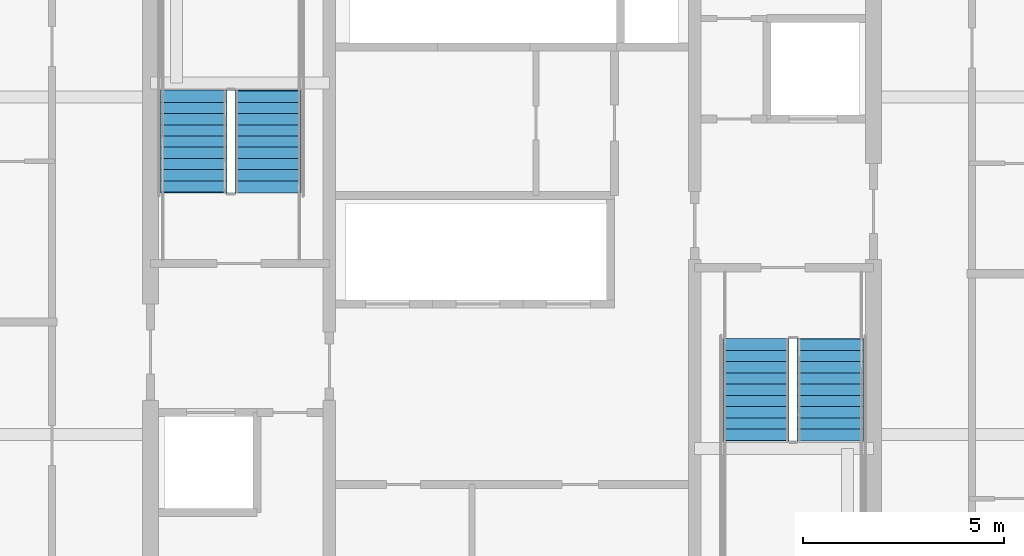
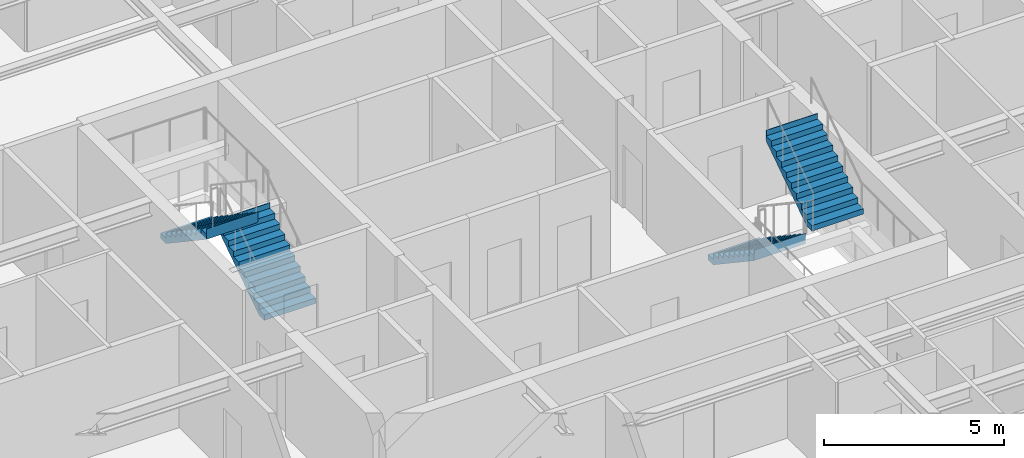
# One storey, part 29 of 34: 4 stair flights, 2 elements without a shape of their own.
"""IFC4 building model written with IfcOpenShell, lengths in metres."""

from ifc_helpers import new_model, si_unit, direction, frame, origin, place, context, subcontext, project, spatial, polygons, material, type_object, element, aggregate, save


model = new_model("IFC4")

# Units and contexts
model_context = context("Model", 3, precision=1e-05, world=origin(), true_north=direction((0.0, 1.0)))
body_context = subcontext(model_context, "Body", "Model", "MODEL_VIEW")
ifc_project = project(units=[si_unit("LENGTHUNIT", "METRE"), si_unit("AREAUNIT", "SQUARE_METRE"), si_unit("VOLUMEUNIT", "CUBIC_METRE"), si_unit("PLANEANGLEUNIT", "RADIAN"), si_unit("MASSUNIT", "GRAM", prefix="KILO")], contexts=[model_context])

# Site, building, storey
site_placement = place(None, origin())
site = spatial("IfcSite", under=ifc_project, at=site_placement, CompositionType="ELEMENT")
building_placement = place(site_placement, origin())
building = spatial("IfcBuilding", under=site, at=building_placement, Name="Serunith Strait Residences", CompositionType="ELEMENT")
storey_placement = place(building_placement, frame((0.0, 0.0, 142.64990234375)))
storey = spatial("IfcBuildingStorey", under=building, at=storey_placement, Name="L35", CompositionType="ELEMENT", Elevation=142.64990234375)

# Stair, stair flights
ifc_material = material(Name="Concrete C50/60", Category="concrete")
stair_type_1 = type_object("IfcStairType", Name="STR-CORE-1", PredefinedType="HALF_TURN_STAIR", material=ifc_material)
stair_1_placement = place(storey_placement, origin())
stair_1 = element("IfcStair", 1, at=stair_1_placement, inside=storey, type_object=stair_type_1, Name="L35 Protected Escape Stair ST-1", PredefinedType="HALF_TURN_STAIR")
stair_flight_type_1 = type_object("IfcStairFlightType", Name="FLT-CORE-1", PredefinedType="STRAIGHT", material=ifc_material)
stair_flight_1_placement = place(storey_placement, frame((26.324951171875, 27.030029296875, 0.0), z_axis=(0.0, 0.0, 1.0), x_axis=(0.0, 1.0, 0.0)))
stair_flight_1 = element("IfcStairFlight", 2, at=stair_flight_1_placement, type_object=stair_flight_type_1, Name="ST-1 flight 1", NumberOfRisers=10, NumberOfTreads=9, PredefinedType="STRAIGHT", RiserHeight=0.1875, TreadLength=0.28, context=body_context, shape_type="Tessellation", body=[
    polygons([(-0.02001953125, -0.824951171875, 0.0), (-0.02001953125, -0.824951171875, 0.1875), (0.280029296875, -0.824951171875, 0.1875), (0.280029296875, -0.824951171875, 0.375), (0.56005859375, -0.824951171875, 0.375), (0.56005859375, -0.824951171875, 0.5625), (0.840087890625, -0.824951171875, 0.5625), (0.840087890625, -0.824951171875, 0.75), (1.1201171875, -0.824951171875, 0.75), (1.1201171875, -0.824951171875, 0.9375), (1.39990234375, -0.824951171875, 0.9375), (1.39990234375, -0.824951171875, 1.125), (1.679931640625, -0.824951171875, 1.125), (1.679931640625, -0.824951171875, 1.3125), (1.9599609375, -0.824951171875, 1.3125), (1.9599609375, -0.824951171875, 1.5), (2.239990234375, -0.824951171875, 1.5), (2.239990234375, -0.824951171875, 1.6875), (2.52001953125, -0.824951171875, 1.6875), (2.52001953125, -0.824951171875, 1.875), (2.5400390625, -0.824951171875, 1.875), (2.5400390625, -0.824951171875, 1.81494140625), (2.52001953125, -0.824951171875, 1.507080078125), (0.26953125, -0.824951171875, 0.0), (-0.02001953125, -0.41259765625, 0.0), (-0.02001953125, -0.41259765625, 0.1875), (0.280029296875, -0.41259765625, 0.1875), (0.280029296875, -0.41259765625, 0.375), (0.56005859375, -0.41259765625, 0.375), (0.56005859375, -0.41259765625, 0.5625), (0.840087890625, -0.41259765625, 0.5625), (0.840087890625, -0.41259765625, 0.75), (1.1201171875, -0.41259765625, 0.75), (1.1201171875, -0.41259765625, 0.9375), (1.39990234375, -0.41259765625, 0.9375), (1.39990234375, -0.41259765625, 1.125), (1.679931640625, -0.41259765625, 1.125), (1.679931640625, -0.41259765625, 1.3125), (1.9599609375, -0.41259765625, 1.3125), (1.9599609375, -0.41259765625, 1.5), (2.239990234375, -0.41259765625, 1.5), (2.239990234375, -0.41259765625, 1.6875), (2.52001953125, -0.41259765625, 1.6875), (2.52001953125, -0.41259765625, 1.875), (2.5400390625, -0.41259765625, 1.875), (2.5400390625, -0.41259765625, 1.81494140625), (2.52001953125, -0.41259765625, 1.507080078125), (0.26953125, -0.41259765625, 0.0), (-0.02001953125, 0.0, 0.0), (-0.02001953125, 0.0, 0.1875), (0.280029296875, 0.0, 0.1875), (0.280029296875, 0.0, 0.375), (0.56005859375, 0.0, 0.375), (0.56005859375, 0.0, 0.5625), (0.840087890625, 0.0, 0.5625), (0.840087890625, 0.0, 0.75), (1.1201171875, 0.0, 0.75), (1.1201171875, 0.0, 0.9375), (1.39990234375, 0.0, 0.9375), (1.39990234375, 0.0, 1.125), (1.679931640625, 0.0, 1.125), (1.679931640625, 0.0, 1.3125), (1.9599609375, 0.0, 1.3125), (1.9599609375, 0.0, 1.5), (2.239990234375, 0.0, 1.5), (2.239990234375, 0.0, 1.6875), (2.52001953125, 0.0, 1.6875), (2.52001953125, 0.0, 1.875), (2.5400390625, 0.0, 1.875), (2.5400390625, 0.0, 1.81494140625), (2.52001953125, 0.0, 1.507080078125), (0.26953125, 0.0, 0.0), (-0.02001953125, 0.41259765625, 0.0), (-0.02001953125, 0.41259765625, 0.1875), (0.280029296875, 0.41259765625, 0.1875), (0.280029296875, 0.41259765625, 0.375), (0.56005859375, 0.41259765625, 0.375), (0.56005859375, 0.41259765625, 0.5625), (0.840087890625, 0.41259765625, 0.5625), (0.840087890625, 0.41259765625, 0.75), (1.1201171875, 0.41259765625, 0.75), (1.1201171875, 0.41259765625, 0.9375), (1.39990234375, 0.41259765625, 0.9375), (1.39990234375, 0.41259765625, 1.125), (1.679931640625, 0.41259765625, 1.125), (1.679931640625, 0.41259765625, 1.3125), (1.9599609375, 0.41259765625, 1.3125), (1.9599609375, 0.41259765625, 1.5), (2.239990234375, 0.41259765625, 1.5), (2.239990234375, 0.41259765625, 1.6875), (2.52001953125, 0.41259765625, 1.6875), (2.52001953125, 0.41259765625, 1.875), (2.5400390625, 0.41259765625, 1.875), (2.5400390625, 0.41259765625, 1.81494140625), (2.52001953125, 0.41259765625, 1.507080078125), (0.26953125, 0.41259765625, 0.0), (-0.02001953125, 0.824951171875, 0.0), (-0.02001953125, 0.824951171875, 0.1875), (0.280029296875, 0.824951171875, 0.1875), (0.280029296875, 0.824951171875, 0.375), (0.56005859375, 0.824951171875, 0.375), (0.56005859375, 0.824951171875, 0.5625), (0.840087890625, 0.824951171875, 0.5625), (0.840087890625, 0.824951171875, 0.75), (1.1201171875, 0.824951171875, 0.75), (1.1201171875, 0.824951171875, 0.9375), (1.39990234375, 0.824951171875, 0.9375), (1.39990234375, 0.824951171875, 1.125), (1.679931640625, 0.824951171875, 1.125), (1.679931640625, 0.824951171875, 1.3125), (1.9599609375, 0.824951171875, 1.3125), (1.9599609375, 0.824951171875, 1.5), (2.239990234375, 0.824951171875, 1.5), (2.239990234375, 0.824951171875, 1.6875), (2.52001953125, 0.824951171875, 1.6875), (2.52001953125, 0.824951171875, 1.875), (2.5400390625, 0.824951171875, 1.875), (2.5400390625, 0.824951171875, 1.81494140625), (2.52001953125, 0.824951171875, 1.507080078125), (0.26953125, 0.824951171875, 0.0)], [[[1, 2, 26, 25]], [[2, 3, 27, 26]], [[3, 4, 28, 27]], [[4, 5, 29, 28]], [[5, 6, 30, 29]], [[6, 7, 31, 30]], [[7, 8, 32, 31]], [[8, 9, 33, 32]], [[9, 10, 34, 33]], [[10, 11, 35, 34]], [[11, 12, 36, 35]], [[12, 13, 37, 36]], [[13, 14, 38, 37]], [[14, 15, 39, 38]], [[15, 16, 40, 39]], [[16, 17, 41, 40]], [[17, 18, 42, 41]], [[18, 19, 43, 42]], [[19, 20, 44, 43]], [[20, 21, 45, 44]], [[21, 22, 46, 45]], [[22, 23, 47, 46]], [[23, 24, 48, 47]], [[24, 1, 25, 48]], [[25, 26, 50, 49]], [[26, 27, 51, 50]], [[27, 28, 52, 51]], [[28, 29, 53, 52]], [[29, 30, 54, 53]], [[30, 31, 55, 54]], [[31, 32, 56, 55]], [[32, 33, 57, 56]], [[33, 34, 58, 57]], [[34, 35, 59, 58]], [[35, 36, 60, 59]], [[36, 37, 61, 60]], [[37, 38, 62, 61]], [[38, 39, 63, 62]], [[39, 40, 64, 63]], [[40, 41, 65, 64]], [[41, 42, 66, 65]], [[42, 43, 67, 66]], [[43, 44, 68, 67]], [[44, 45, 69, 68]], [[45, 46, 70, 69]], [[46, 47, 71, 70]], [[47, 48, 72, 71]], [[48, 25, 49, 72]], [[49, 50, 74, 73]], [[50, 51, 75, 74]], [[51, 52, 76, 75]], [[52, 53, 77, 76]], [[53, 54, 78, 77]], [[54, 55, 79, 78]], [[55, 56, 80, 79]], [[56, 57, 81, 80]], [[57, 58, 82, 81]], [[58, 59, 83, 82]], [[59, 60, 84, 83]], [[60, 61, 85, 84]], [[61, 62, 86, 85]], [[62, 63, 87, 86]], [[63, 64, 88, 87]], [[64, 65, 89, 88]], [[65, 66, 90, 89]], [[66, 67, 91, 90]], [[67, 68, 92, 91]], [[68, 69, 93, 92]], [[69, 70, 94, 93]], [[70, 71, 95, 94]], [[71, 72, 96, 95]], [[72, 49, 73, 96]], [[73, 74, 98, 97]], [[74, 75, 99, 98]], [[75, 76, 100, 99]], [[76, 77, 101, 100]], [[77, 78, 102, 101]], [[78, 79, 103, 102]], [[79, 80, 104, 103]], [[80, 81, 105, 104]], [[81, 82, 106, 105]], [[82, 83, 107, 106]], [[83, 84, 108, 107]], [[84, 85, 109, 108]], [[85, 86, 110, 109]], [[86, 87, 111, 110]], [[87, 88, 112, 111]], [[88, 89, 113, 112]], [[89, 90, 114, 113]], [[90, 91, 115, 114]], [[91, 92, 116, 115]], [[92, 93, 117, 116]], [[93, 94, 118, 117]], [[94, 95, 119, 118]], [[95, 96, 120, 119]], [[96, 73, 97, 120]], [[24, 23, 22, 21, 20, 19, 18, 17, 16, 15, 14, 13, 12, 11, 10, 9, 8, 7, 6, 5, 4, 3, 2, 1]], [[97, 98, 99, 100, 101, 102, 103, 104, 105, 106, 107, 108, 109, 110, 111, 112, 113, 114, 115, 116, 117, 118, 119, 120]]], closed=True),
])
stair_flight_2_placement = place(storey_placement, frame((24.47509765625, 29.550048828125, 1.875), z_axis=(0.0, 0.0, 1.0), x_axis=(0.0, -1.0, 0.0)))
stair_flight_2 = element("IfcStairFlight", 3, at=stair_flight_2_placement, type_object=stair_flight_type_1, Name="ST-1 flight 2", NumberOfRisers=10, NumberOfTreads=9, PredefinedType="STRAIGHT", RiserHeight=0.1875, TreadLength=0.28, context=body_context, shape_type="Tessellation", body=[
    polygons([(-0.02001953125, -0.824951171875, 0.0), (-0.02001953125, -0.824951171875, 0.1875), (0.280029296875, -0.824951171875, 0.1875), (0.280029296875, -0.824951171875, 0.375), (0.56005859375, -0.824951171875, 0.375), (0.56005859375, -0.824951171875, 0.5625), (0.840087890625, -0.824951171875, 0.5625), (0.840087890625, -0.824951171875, 0.75), (1.1201171875, -0.824951171875, 0.75), (1.1201171875, -0.824951171875, 0.9375), (1.39990234375, -0.824951171875, 0.9375), (1.39990234375, -0.824951171875, 1.125), (1.679931640625, -0.824951171875, 1.125), (1.679931640625, -0.824951171875, 1.3125), (1.9599609375, -0.824951171875, 1.3125), (1.9599609375, -0.824951171875, 1.5), (2.239990234375, -0.824951171875, 1.5), (2.239990234375, -0.824951171875, 1.6875), (2.52001953125, -0.824951171875, 1.6875), (2.52001953125, -0.824951171875, 1.875), (2.5400390625, -0.824951171875, 1.875), (2.5400390625, -0.824951171875, 1.81494140625), (2.52001953125, -0.824951171875, 1.507080078125), (0.26953125, -0.824951171875, 0.0), (-0.02001953125, -0.41259765625, 0.0), (-0.02001953125, -0.41259765625, 0.1875), (0.280029296875, -0.41259765625, 0.1875), (0.280029296875, -0.41259765625, 0.375), (0.56005859375, -0.41259765625, 0.375), (0.56005859375, -0.41259765625, 0.5625), (0.840087890625, -0.41259765625, 0.5625), (0.840087890625, -0.41259765625, 0.75), (1.1201171875, -0.41259765625, 0.75), (1.1201171875, -0.41259765625, 0.9375), (1.39990234375, -0.41259765625, 0.9375), (1.39990234375, -0.41259765625, 1.125), (1.679931640625, -0.41259765625, 1.125), (1.679931640625, -0.41259765625, 1.3125), (1.9599609375, -0.41259765625, 1.3125), (1.9599609375, -0.41259765625, 1.5), (2.239990234375, -0.41259765625, 1.5), (2.239990234375, -0.41259765625, 1.6875), (2.52001953125, -0.41259765625, 1.6875), (2.52001953125, -0.41259765625, 1.875), (2.5400390625, -0.41259765625, 1.875), (2.5400390625, -0.41259765625, 1.81494140625), (2.52001953125, -0.41259765625, 1.507080078125), (0.26953125, -0.41259765625, 0.0), (-0.02001953125, 0.0, 0.0), (-0.02001953125, 0.0, 0.1875), (0.280029296875, 0.0, 0.1875), (0.280029296875, 0.0, 0.375), (0.56005859375, 0.0, 0.375), (0.56005859375, 0.0, 0.5625), (0.840087890625, 0.0, 0.5625), (0.840087890625, 0.0, 0.75), (1.1201171875, 0.0, 0.75), (1.1201171875, 0.0, 0.9375), (1.39990234375, 0.0, 0.9375), (1.39990234375, 0.0, 1.125), (1.679931640625, 0.0, 1.125), (1.679931640625, 0.0, 1.3125), (1.9599609375, 0.0, 1.3125), (1.9599609375, 0.0, 1.5), (2.239990234375, 0.0, 1.5), (2.239990234375, 0.0, 1.6875), (2.52001953125, 0.0, 1.6875), (2.52001953125, 0.0, 1.875), (2.5400390625, 0.0, 1.875), (2.5400390625, 0.0, 1.81494140625), (2.52001953125, 0.0, 1.507080078125), (0.26953125, 0.0, 0.0), (-0.02001953125, 0.41259765625, 0.0), (-0.02001953125, 0.41259765625, 0.1875), (0.280029296875, 0.41259765625, 0.1875), (0.280029296875, 0.41259765625, 0.375), (0.56005859375, 0.41259765625, 0.375), (0.56005859375, 0.41259765625, 0.5625), (0.840087890625, 0.41259765625, 0.5625), (0.840087890625, 0.41259765625, 0.75), (1.1201171875, 0.41259765625, 0.75), (1.1201171875, 0.41259765625, 0.9375), (1.39990234375, 0.41259765625, 0.9375), (1.39990234375, 0.41259765625, 1.125), (1.679931640625, 0.41259765625, 1.125), (1.679931640625, 0.41259765625, 1.3125), (1.9599609375, 0.41259765625, 1.3125), (1.9599609375, 0.41259765625, 1.5), (2.239990234375, 0.41259765625, 1.5), (2.239990234375, 0.41259765625, 1.6875), (2.52001953125, 0.41259765625, 1.6875), (2.52001953125, 0.41259765625, 1.875), (2.5400390625, 0.41259765625, 1.875), (2.5400390625, 0.41259765625, 1.81494140625), (2.52001953125, 0.41259765625, 1.507080078125), (0.26953125, 0.41259765625, 0.0), (-0.02001953125, 0.824951171875, 0.0), (-0.02001953125, 0.824951171875, 0.1875), (0.280029296875, 0.824951171875, 0.1875), (0.280029296875, 0.824951171875, 0.375), (0.56005859375, 0.824951171875, 0.375), (0.56005859375, 0.824951171875, 0.5625), (0.840087890625, 0.824951171875, 0.5625), (0.840087890625, 0.824951171875, 0.75), (1.1201171875, 0.824951171875, 0.75), (1.1201171875, 0.824951171875, 0.9375), (1.39990234375, 0.824951171875, 0.9375), (1.39990234375, 0.824951171875, 1.125), (1.679931640625, 0.824951171875, 1.125), (1.679931640625, 0.824951171875, 1.3125), (1.9599609375, 0.824951171875, 1.3125), (1.9599609375, 0.824951171875, 1.5), (2.239990234375, 0.824951171875, 1.5), (2.239990234375, 0.824951171875, 1.6875), (2.52001953125, 0.824951171875, 1.6875), (2.52001953125, 0.824951171875, 1.875), (2.5400390625, 0.824951171875, 1.875), (2.5400390625, 0.824951171875, 1.81494140625), (2.52001953125, 0.824951171875, 1.507080078125), (0.26953125, 0.824951171875, 0.0)], [[[1, 2, 26, 25]], [[2, 3, 27, 26]], [[3, 4, 28, 27]], [[4, 5, 29, 28]], [[5, 6, 30, 29]], [[6, 7, 31, 30]], [[7, 8, 32, 31]], [[8, 9, 33, 32]], [[9, 10, 34, 33]], [[10, 11, 35, 34]], [[11, 12, 36, 35]], [[12, 13, 37, 36]], [[13, 14, 38, 37]], [[14, 15, 39, 38]], [[15, 16, 40, 39]], [[16, 17, 41, 40]], [[17, 18, 42, 41]], [[18, 19, 43, 42]], [[19, 20, 44, 43]], [[20, 21, 45, 44]], [[21, 22, 46, 45]], [[22, 23, 47, 46]], [[23, 24, 48, 47]], [[24, 1, 25, 48]], [[25, 26, 50, 49]], [[26, 27, 51, 50]], [[27, 28, 52, 51]], [[28, 29, 53, 52]], [[29, 30, 54, 53]], [[30, 31, 55, 54]], [[31, 32, 56, 55]], [[32, 33, 57, 56]], [[33, 34, 58, 57]], [[34, 35, 59, 58]], [[35, 36, 60, 59]], [[36, 37, 61, 60]], [[37, 38, 62, 61]], [[38, 39, 63, 62]], [[39, 40, 64, 63]], [[40, 41, 65, 64]], [[41, 42, 66, 65]], [[42, 43, 67, 66]], [[43, 44, 68, 67]], [[44, 45, 69, 68]], [[45, 46, 70, 69]], [[46, 47, 71, 70]], [[47, 48, 72, 71]], [[48, 25, 49, 72]], [[49, 50, 74, 73]], [[50, 51, 75, 74]], [[51, 52, 76, 75]], [[52, 53, 77, 76]], [[53, 54, 78, 77]], [[54, 55, 79, 78]], [[55, 56, 80, 79]], [[56, 57, 81, 80]], [[57, 58, 82, 81]], [[58, 59, 83, 82]], [[59, 60, 84, 83]], [[60, 61, 85, 84]], [[61, 62, 86, 85]], [[62, 63, 87, 86]], [[63, 64, 88, 87]], [[64, 65, 89, 88]], [[65, 66, 90, 89]], [[66, 67, 91, 90]], [[67, 68, 92, 91]], [[68, 69, 93, 92]], [[69, 70, 94, 93]], [[70, 71, 95, 94]], [[71, 72, 96, 95]], [[72, 49, 73, 96]], [[73, 74, 98, 97]], [[74, 75, 99, 98]], [[75, 76, 100, 99]], [[76, 77, 101, 100]], [[77, 78, 102, 101]], [[78, 79, 103, 102]], [[79, 80, 104, 103]], [[80, 81, 105, 104]], [[81, 82, 106, 105]], [[82, 83, 107, 106]], [[83, 84, 108, 107]], [[84, 85, 109, 108]], [[85, 86, 110, 109]], [[86, 87, 111, 110]], [[87, 88, 112, 111]], [[88, 89, 113, 112]], [[89, 90, 114, 113]], [[90, 91, 115, 114]], [[91, 92, 116, 115]], [[92, 93, 117, 116]], [[93, 94, 118, 117]], [[94, 95, 119, 118]], [[95, 96, 120, 119]], [[96, 73, 97, 120]], [[24, 23, 22, 21, 20, 19, 18, 17, 16, 15, 14, 13, 12, 11, 10, 9, 8, 7, 6, 5, 4, 3, 2, 1]], [[97, 98, 99, 100, 101, 102, 103, 104, 105, 106, 107, 108, 109, 110, 111, 112, 113, 114, 115, 116, 117, 118, 119, 120]]], closed=True),
])
aggregate(stair_1, [stair_flight_1, stair_flight_2])

stair_type_2 = type_object("IfcStairType", Name="STR-CORE-2", PredefinedType="HALF_TURN_STAIR", material=ifc_material)
stair_2_placement = place(storey_placement, origin())
stair_2 = element("IfcStair", 4, at=stair_2_placement, inside=storey, type_object=stair_type_2, Name="L35 Protected Escape Stair ST-2", PredefinedType="HALF_TURN_STAIR")
stair_flight_type_2 = type_object("IfcStairFlightType", Name="FLT-CORE-2", PredefinedType="STRAIGHT", material=ifc_material)
stair_flight_3_placement = place(storey_placement, frame((38.47509765625, 23.3701171875, 0.0), z_axis=(0.0, 0.0, 1.0), x_axis=(0.0, -1.0, 0.0)))
stair_flight_3 = element("IfcStairFlight", 5, at=stair_flight_3_placement, type_object=stair_flight_type_2, Name="ST-2 flight 1", NumberOfRisers=10, NumberOfTreads=9, PredefinedType="STRAIGHT", RiserHeight=0.1875, TreadLength=0.28, context=body_context, shape_type="Tessellation", body=[
    polygons([(-0.02001953125, -0.824951171875, 0.0), (-0.02001953125, -0.824951171875, 0.1875), (0.280029296875, -0.824951171875, 0.1875), (0.280029296875, -0.824951171875, 0.375), (0.56005859375, -0.824951171875, 0.375), (0.56005859375, -0.824951171875, 0.5625), (0.840087890625, -0.824951171875, 0.5625), (0.840087890625, -0.824951171875, 0.75), (1.1201171875, -0.824951171875, 0.75), (1.1201171875, -0.824951171875, 0.9375), (1.39990234375, -0.824951171875, 0.9375), (1.39990234375, -0.824951171875, 1.125), (1.679931640625, -0.824951171875, 1.125), (1.679931640625, -0.824951171875, 1.3125), (1.9599609375, -0.824951171875, 1.3125), (1.9599609375, -0.824951171875, 1.5), (2.239990234375, -0.824951171875, 1.5), (2.239990234375, -0.824951171875, 1.6875), (2.52001953125, -0.824951171875, 1.6875), (2.52001953125, -0.824951171875, 1.875), (2.5400390625, -0.824951171875, 1.875), (2.5400390625, -0.824951171875, 1.81494140625), (2.52001953125, -0.824951171875, 1.507080078125), (0.26953125, -0.824951171875, 0.0), (-0.02001953125, -0.41259765625, 0.0), (-0.02001953125, -0.41259765625, 0.1875), (0.280029296875, -0.41259765625, 0.1875), (0.280029296875, -0.41259765625, 0.375), (0.56005859375, -0.41259765625, 0.375), (0.56005859375, -0.41259765625, 0.5625), (0.840087890625, -0.41259765625, 0.5625), (0.840087890625, -0.41259765625, 0.75), (1.1201171875, -0.41259765625, 0.75), (1.1201171875, -0.41259765625, 0.9375), (1.39990234375, -0.41259765625, 0.9375), (1.39990234375, -0.41259765625, 1.125), (1.679931640625, -0.41259765625, 1.125), (1.679931640625, -0.41259765625, 1.3125), (1.9599609375, -0.41259765625, 1.3125), (1.9599609375, -0.41259765625, 1.5), (2.239990234375, -0.41259765625, 1.5), (2.239990234375, -0.41259765625, 1.6875), (2.52001953125, -0.41259765625, 1.6875), (2.52001953125, -0.41259765625, 1.875), (2.5400390625, -0.41259765625, 1.875), (2.5400390625, -0.41259765625, 1.81494140625), (2.52001953125, -0.41259765625, 1.507080078125), (0.26953125, -0.41259765625, 0.0), (-0.02001953125, 0.0, 0.0), (-0.02001953125, 0.0, 0.1875), (0.280029296875, 0.0, 0.1875), (0.280029296875, 0.0, 0.375), (0.56005859375, 0.0, 0.375), (0.56005859375, 0.0, 0.5625), (0.840087890625, 0.0, 0.5625), (0.840087890625, 0.0, 0.75), (1.1201171875, 0.0, 0.75), (1.1201171875, 0.0, 0.9375), (1.39990234375, 0.0, 0.9375), (1.39990234375, 0.0, 1.125), (1.679931640625, 0.0, 1.125), (1.679931640625, 0.0, 1.3125), (1.9599609375, 0.0, 1.3125), (1.9599609375, 0.0, 1.5), (2.239990234375, 0.0, 1.5), (2.239990234375, 0.0, 1.6875), (2.52001953125, 0.0, 1.6875), (2.52001953125, 0.0, 1.875), (2.5400390625, 0.0, 1.875), (2.5400390625, 0.0, 1.81494140625), (2.52001953125, 0.0, 1.507080078125), (0.26953125, 0.0, 0.0), (-0.02001953125, 0.41259765625, 0.0), (-0.02001953125, 0.41259765625, 0.1875), (0.280029296875, 0.41259765625, 0.1875), (0.280029296875, 0.41259765625, 0.375), (0.56005859375, 0.41259765625, 0.375), (0.56005859375, 0.41259765625, 0.5625), (0.840087890625, 0.41259765625, 0.5625), (0.840087890625, 0.41259765625, 0.75), (1.1201171875, 0.41259765625, 0.75), (1.1201171875, 0.41259765625, 0.9375), (1.39990234375, 0.41259765625, 0.9375), (1.39990234375, 0.41259765625, 1.125), (1.679931640625, 0.41259765625, 1.125), (1.679931640625, 0.41259765625, 1.3125), (1.9599609375, 0.41259765625, 1.3125), (1.9599609375, 0.41259765625, 1.5), (2.239990234375, 0.41259765625, 1.5), (2.239990234375, 0.41259765625, 1.6875), (2.52001953125, 0.41259765625, 1.6875), (2.52001953125, 0.41259765625, 1.875), (2.5400390625, 0.41259765625, 1.875), (2.5400390625, 0.41259765625, 1.81494140625), (2.52001953125, 0.41259765625, 1.507080078125), (0.26953125, 0.41259765625, 0.0), (-0.02001953125, 0.824951171875, 0.0), (-0.02001953125, 0.824951171875, 0.1875), (0.280029296875, 0.824951171875, 0.1875), (0.280029296875, 0.824951171875, 0.375), (0.56005859375, 0.824951171875, 0.375), (0.56005859375, 0.824951171875, 0.5625), (0.840087890625, 0.824951171875, 0.5625), (0.840087890625, 0.824951171875, 0.75), (1.1201171875, 0.824951171875, 0.75), (1.1201171875, 0.824951171875, 0.9375), (1.39990234375, 0.824951171875, 0.9375), (1.39990234375, 0.824951171875, 1.125), (1.679931640625, 0.824951171875, 1.125), (1.679931640625, 0.824951171875, 1.3125), (1.9599609375, 0.824951171875, 1.3125), (1.9599609375, 0.824951171875, 1.5), (2.239990234375, 0.824951171875, 1.5), (2.239990234375, 0.824951171875, 1.6875), (2.52001953125, 0.824951171875, 1.6875), (2.52001953125, 0.824951171875, 1.875), (2.5400390625, 0.824951171875, 1.875), (2.5400390625, 0.824951171875, 1.81494140625), (2.52001953125, 0.824951171875, 1.507080078125), (0.26953125, 0.824951171875, 0.0)], [[[1, 2, 26, 25]], [[2, 3, 27, 26]], [[3, 4, 28, 27]], [[4, 5, 29, 28]], [[5, 6, 30, 29]], [[6, 7, 31, 30]], [[7, 8, 32, 31]], [[8, 9, 33, 32]], [[9, 10, 34, 33]], [[10, 11, 35, 34]], [[11, 12, 36, 35]], [[12, 13, 37, 36]], [[13, 14, 38, 37]], [[14, 15, 39, 38]], [[15, 16, 40, 39]], [[16, 17, 41, 40]], [[17, 18, 42, 41]], [[18, 19, 43, 42]], [[19, 20, 44, 43]], [[20, 21, 45, 44]], [[21, 22, 46, 45]], [[22, 23, 47, 46]], [[23, 24, 48, 47]], [[24, 1, 25, 48]], [[25, 26, 50, 49]], [[26, 27, 51, 50]], [[27, 28, 52, 51]], [[28, 29, 53, 52]], [[29, 30, 54, 53]], [[30, 31, 55, 54]], [[31, 32, 56, 55]], [[32, 33, 57, 56]], [[33, 34, 58, 57]], [[34, 35, 59, 58]], [[35, 36, 60, 59]], [[36, 37, 61, 60]], [[37, 38, 62, 61]], [[38, 39, 63, 62]], [[39, 40, 64, 63]], [[40, 41, 65, 64]], [[41, 42, 66, 65]], [[42, 43, 67, 66]], [[43, 44, 68, 67]], [[44, 45, 69, 68]], [[45, 46, 70, 69]], [[46, 47, 71, 70]], [[47, 48, 72, 71]], [[48, 25, 49, 72]], [[49, 50, 74, 73]], [[50, 51, 75, 74]], [[51, 52, 76, 75]], [[52, 53, 77, 76]], [[53, 54, 78, 77]], [[54, 55, 79, 78]], [[55, 56, 80, 79]], [[56, 57, 81, 80]], [[57, 58, 82, 81]], [[58, 59, 83, 82]], [[59, 60, 84, 83]], [[60, 61, 85, 84]], [[61, 62, 86, 85]], [[62, 63, 87, 86]], [[63, 64, 88, 87]], [[64, 65, 89, 88]], [[65, 66, 90, 89]], [[66, 67, 91, 90]], [[67, 68, 92, 91]], [[68, 69, 93, 92]], [[69, 70, 94, 93]], [[70, 71, 95, 94]], [[71, 72, 96, 95]], [[72, 49, 73, 96]], [[73, 74, 98, 97]], [[74, 75, 99, 98]], [[75, 76, 100, 99]], [[76, 77, 101, 100]], [[77, 78, 102, 101]], [[78, 79, 103, 102]], [[79, 80, 104, 103]], [[80, 81, 105, 104]], [[81, 82, 106, 105]], [[82, 83, 107, 106]], [[83, 84, 108, 107]], [[84, 85, 109, 108]], [[85, 86, 110, 109]], [[86, 87, 111, 110]], [[87, 88, 112, 111]], [[88, 89, 113, 112]], [[89, 90, 114, 113]], [[90, 91, 115, 114]], [[91, 92, 116, 115]], [[92, 93, 117, 116]], [[93, 94, 118, 117]], [[94, 95, 119, 118]], [[95, 96, 120, 119]], [[96, 73, 97, 120]], [[24, 23, 22, 21, 20, 19, 18, 17, 16, 15, 14, 13, 12, 11, 10, 9, 8, 7, 6, 5, 4, 3, 2, 1]], [[97, 98, 99, 100, 101, 102, 103, 104, 105, 106, 107, 108, 109, 110, 111, 112, 113, 114, 115, 116, 117, 118, 119, 120]]], closed=True),
])
stair_flight_4_placement = place(storey_placement, frame((40.324951171875, 20.85009765625, 1.875), z_axis=(0.0, 0.0, 1.0), x_axis=(0.0, 1.0, 0.0)))
stair_flight_4 = element("IfcStairFlight", 6, at=stair_flight_4_placement, type_object=stair_flight_type_2, Name="ST-2 flight 2", NumberOfRisers=10, NumberOfTreads=9, PredefinedType="STRAIGHT", RiserHeight=0.1875, TreadLength=0.28, context=body_context, shape_type="Tessellation", body=[
    polygons([(-0.02001953125, -0.824951171875, 0.0), (-0.02001953125, -0.824951171875, 0.1875), (0.280029296875, -0.824951171875, 0.1875), (0.280029296875, -0.824951171875, 0.375), (0.56005859375, -0.824951171875, 0.375), (0.56005859375, -0.824951171875, 0.5625), (0.840087890625, -0.824951171875, 0.5625), (0.840087890625, -0.824951171875, 0.75), (1.1201171875, -0.824951171875, 0.75), (1.1201171875, -0.824951171875, 0.9375), (1.39990234375, -0.824951171875, 0.9375), (1.39990234375, -0.824951171875, 1.125), (1.679931640625, -0.824951171875, 1.125), (1.679931640625, -0.824951171875, 1.3125), (1.9599609375, -0.824951171875, 1.3125), (1.9599609375, -0.824951171875, 1.5), (2.239990234375, -0.824951171875, 1.5), (2.239990234375, -0.824951171875, 1.6875), (2.52001953125, -0.824951171875, 1.6875), (2.52001953125, -0.824951171875, 1.875), (2.5400390625, -0.824951171875, 1.875), (2.5400390625, -0.824951171875, 1.81494140625), (2.52001953125, -0.824951171875, 1.507080078125), (0.26953125, -0.824951171875, 0.0), (-0.02001953125, -0.41259765625, 0.0), (-0.02001953125, -0.41259765625, 0.1875), (0.280029296875, -0.41259765625, 0.1875), (0.280029296875, -0.41259765625, 0.375), (0.56005859375, -0.41259765625, 0.375), (0.56005859375, -0.41259765625, 0.5625), (0.840087890625, -0.41259765625, 0.5625), (0.840087890625, -0.41259765625, 0.75), (1.1201171875, -0.41259765625, 0.75), (1.1201171875, -0.41259765625, 0.9375), (1.39990234375, -0.41259765625, 0.9375), (1.39990234375, -0.41259765625, 1.125), (1.679931640625, -0.41259765625, 1.125), (1.679931640625, -0.41259765625, 1.3125), (1.9599609375, -0.41259765625, 1.3125), (1.9599609375, -0.41259765625, 1.5), (2.239990234375, -0.41259765625, 1.5), (2.239990234375, -0.41259765625, 1.6875), (2.52001953125, -0.41259765625, 1.6875), (2.52001953125, -0.41259765625, 1.875), (2.5400390625, -0.41259765625, 1.875), (2.5400390625, -0.41259765625, 1.81494140625), (2.52001953125, -0.41259765625, 1.507080078125), (0.26953125, -0.41259765625, 0.0), (-0.02001953125, 0.0, 0.0), (-0.02001953125, 0.0, 0.1875), (0.280029296875, 0.0, 0.1875), (0.280029296875, 0.0, 0.375), (0.56005859375, 0.0, 0.375), (0.56005859375, 0.0, 0.5625), (0.840087890625, 0.0, 0.5625), (0.840087890625, 0.0, 0.75), (1.1201171875, 0.0, 0.75), (1.1201171875, 0.0, 0.9375), (1.39990234375, 0.0, 0.9375), (1.39990234375, 0.0, 1.125), (1.679931640625, 0.0, 1.125), (1.679931640625, 0.0, 1.3125), (1.9599609375, 0.0, 1.3125), (1.9599609375, 0.0, 1.5), (2.239990234375, 0.0, 1.5), (2.239990234375, 0.0, 1.6875), (2.52001953125, 0.0, 1.6875), (2.52001953125, 0.0, 1.875), (2.5400390625, 0.0, 1.875), (2.5400390625, 0.0, 1.81494140625), (2.52001953125, 0.0, 1.507080078125), (0.26953125, 0.0, 0.0), (-0.02001953125, 0.41259765625, 0.0), (-0.02001953125, 0.41259765625, 0.1875), (0.280029296875, 0.41259765625, 0.1875), (0.280029296875, 0.41259765625, 0.375), (0.56005859375, 0.41259765625, 0.375), (0.56005859375, 0.41259765625, 0.5625), (0.840087890625, 0.41259765625, 0.5625), (0.840087890625, 0.41259765625, 0.75), (1.1201171875, 0.41259765625, 0.75), (1.1201171875, 0.41259765625, 0.9375), (1.39990234375, 0.41259765625, 0.9375), (1.39990234375, 0.41259765625, 1.125), (1.679931640625, 0.41259765625, 1.125), (1.679931640625, 0.41259765625, 1.3125), (1.9599609375, 0.41259765625, 1.3125), (1.9599609375, 0.41259765625, 1.5), (2.239990234375, 0.41259765625, 1.5), (2.239990234375, 0.41259765625, 1.6875), (2.52001953125, 0.41259765625, 1.6875), (2.52001953125, 0.41259765625, 1.875), (2.5400390625, 0.41259765625, 1.875), (2.5400390625, 0.41259765625, 1.81494140625), (2.52001953125, 0.41259765625, 1.507080078125), (0.26953125, 0.41259765625, 0.0), (-0.02001953125, 0.824951171875, 0.0), (-0.02001953125, 0.824951171875, 0.1875), (0.280029296875, 0.824951171875, 0.1875), (0.280029296875, 0.824951171875, 0.375), (0.56005859375, 0.824951171875, 0.375), (0.56005859375, 0.824951171875, 0.5625), (0.840087890625, 0.824951171875, 0.5625), (0.840087890625, 0.824951171875, 0.75), (1.1201171875, 0.824951171875, 0.75), (1.1201171875, 0.824951171875, 0.9375), (1.39990234375, 0.824951171875, 0.9375), (1.39990234375, 0.824951171875, 1.125), (1.679931640625, 0.824951171875, 1.125), (1.679931640625, 0.824951171875, 1.3125), (1.9599609375, 0.824951171875, 1.3125), (1.9599609375, 0.824951171875, 1.5), (2.239990234375, 0.824951171875, 1.5), (2.239990234375, 0.824951171875, 1.6875), (2.52001953125, 0.824951171875, 1.6875), (2.52001953125, 0.824951171875, 1.875), (2.5400390625, 0.824951171875, 1.875), (2.5400390625, 0.824951171875, 1.81494140625), (2.52001953125, 0.824951171875, 1.507080078125), (0.26953125, 0.824951171875, 0.0)], [[[1, 2, 26, 25]], [[2, 3, 27, 26]], [[3, 4, 28, 27]], [[4, 5, 29, 28]], [[5, 6, 30, 29]], [[6, 7, 31, 30]], [[7, 8, 32, 31]], [[8, 9, 33, 32]], [[9, 10, 34, 33]], [[10, 11, 35, 34]], [[11, 12, 36, 35]], [[12, 13, 37, 36]], [[13, 14, 38, 37]], [[14, 15, 39, 38]], [[15, 16, 40, 39]], [[16, 17, 41, 40]], [[17, 18, 42, 41]], [[18, 19, 43, 42]], [[19, 20, 44, 43]], [[20, 21, 45, 44]], [[21, 22, 46, 45]], [[22, 23, 47, 46]], [[23, 24, 48, 47]], [[24, 1, 25, 48]], [[25, 26, 50, 49]], [[26, 27, 51, 50]], [[27, 28, 52, 51]], [[28, 29, 53, 52]], [[29, 30, 54, 53]], [[30, 31, 55, 54]], [[31, 32, 56, 55]], [[32, 33, 57, 56]], [[33, 34, 58, 57]], [[34, 35, 59, 58]], [[35, 36, 60, 59]], [[36, 37, 61, 60]], [[37, 38, 62, 61]], [[38, 39, 63, 62]], [[39, 40, 64, 63]], [[40, 41, 65, 64]], [[41, 42, 66, 65]], [[42, 43, 67, 66]], [[43, 44, 68, 67]], [[44, 45, 69, 68]], [[45, 46, 70, 69]], [[46, 47, 71, 70]], [[47, 48, 72, 71]], [[48, 25, 49, 72]], [[49, 50, 74, 73]], [[50, 51, 75, 74]], [[51, 52, 76, 75]], [[52, 53, 77, 76]], [[53, 54, 78, 77]], [[54, 55, 79, 78]], [[55, 56, 80, 79]], [[56, 57, 81, 80]], [[57, 58, 82, 81]], [[58, 59, 83, 82]], [[59, 60, 84, 83]], [[60, 61, 85, 84]], [[61, 62, 86, 85]], [[62, 63, 87, 86]], [[63, 64, 88, 87]], [[64, 65, 89, 88]], [[65, 66, 90, 89]], [[66, 67, 91, 90]], [[67, 68, 92, 91]], [[68, 69, 93, 92]], [[69, 70, 94, 93]], [[70, 71, 95, 94]], [[71, 72, 96, 95]], [[72, 49, 73, 96]], [[73, 74, 98, 97]], [[74, 75, 99, 98]], [[75, 76, 100, 99]], [[76, 77, 101, 100]], [[77, 78, 102, 101]], [[78, 79, 103, 102]], [[79, 80, 104, 103]], [[80, 81, 105, 104]], [[81, 82, 106, 105]], [[82, 83, 107, 106]], [[83, 84, 108, 107]], [[84, 85, 109, 108]], [[85, 86, 110, 109]], [[86, 87, 111, 110]], [[87, 88, 112, 111]], [[88, 89, 113, 112]], [[89, 90, 114, 113]], [[90, 91, 115, 114]], [[91, 92, 116, 115]], [[92, 93, 117, 116]], [[93, 94, 118, 117]], [[94, 95, 119, 118]], [[95, 96, 120, 119]], [[96, 73, 97, 120]], [[24, 23, 22, 21, 20, 19, 18, 17, 16, 15, 14, 13, 12, 11, 10, 9, 8, 7, 6, 5, 4, 3, 2, 1]], [[97, 98, 99, 100, 101, 102, 103, 104, 105, 106, 107, 108, 109, 110, 111, 112, 113, 114, 115, 116, 117, 118, 119, 120]]], closed=True),
])
aggregate(stair_2, [stair_flight_3, stair_flight_4])

save(model, "model.ifc")
